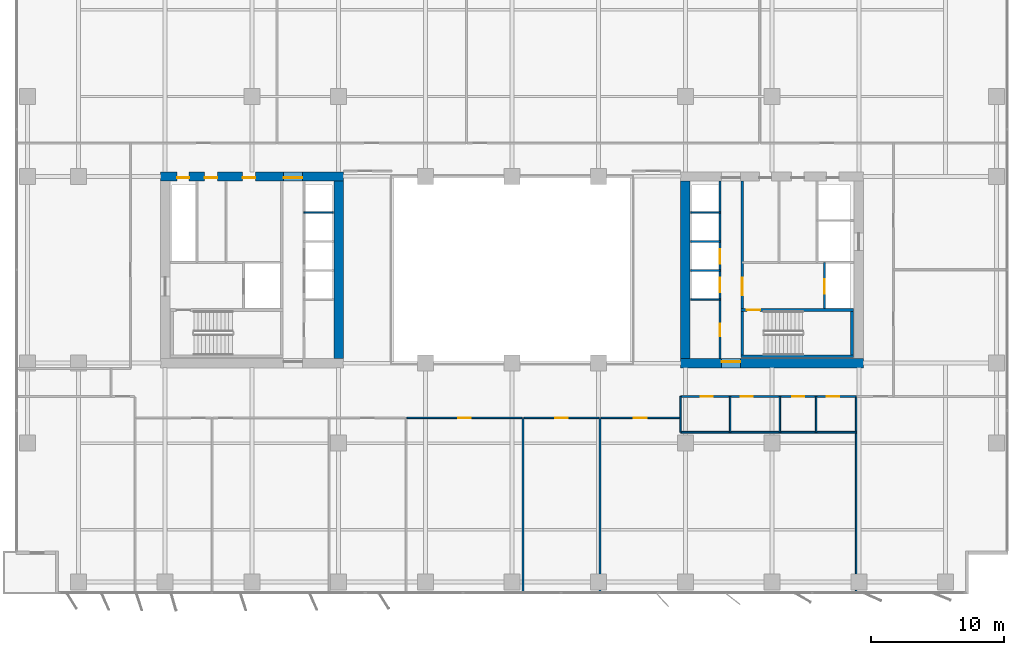
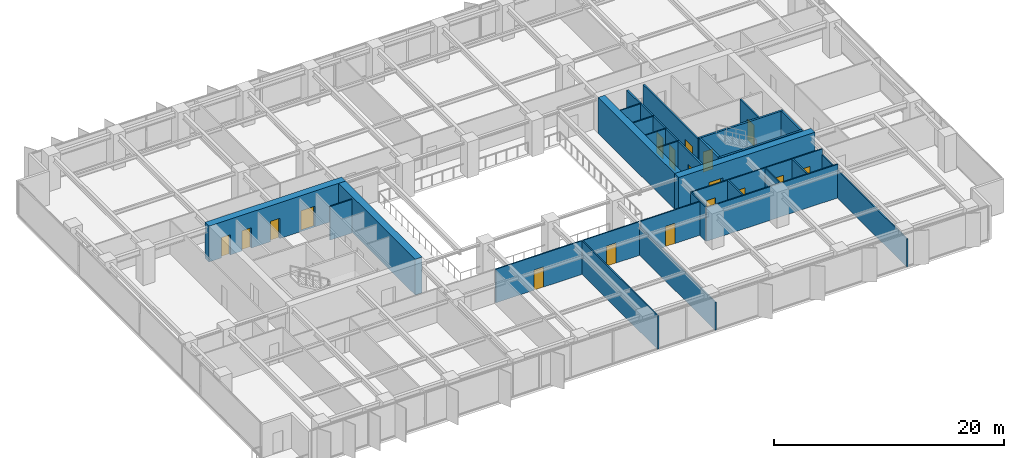
# One storey, part 14 of 20: 28 walls, 18 doors, 18 openings.
"""IFC4 building model written with IfcOpenShell, lengths in metres."""

from ifc_helpers import new_model, si_unit, direction, frame, frame_2d, origin, place, context, subcontext, project, spatial, rectangle, extrude, material, layer, layer_set, type_object, element, fill, save


model = new_model("IFC4")

# Units and contexts
model_context = context("Model", 3, precision=1e-05, world=origin(), true_north=direction((0.0, 1.0)))
body_context = subcontext(model_context, "Body", "Model", "MODEL_VIEW")
ifc_project = project(units=[si_unit("LENGTHUNIT", "METRE"), si_unit("AREAUNIT", "SQUARE_METRE"), si_unit("VOLUMEUNIT", "CUBIC_METRE"), si_unit("PLANEANGLEUNIT", "RADIAN"), si_unit("MASSUNIT", "GRAM", prefix="KILO")], contexts=[model_context])

# Site, building, storey
site_placement = place(None, origin())
site = spatial("IfcSite", under=ifc_project, at=site_placement, CompositionType="ELEMENT")
building_placement = place(site_placement, origin())
building = spatial("IfcBuilding", under=site, at=building_placement, Name="Putna Gate Headquarters", CompositionType="ELEMENT")
storey_placement = place(building_placement, frame((0.0, 0.0, 101.199951171875)))
storey = spatial("IfcBuildingStorey", under=building, at=storey_placement, Name="L24", CompositionType="ELEMENT", Elevation=101.199951171875)

# Wall, openings, doors
ifc_material_1 = material(Name="Concrete C60/75", Category="concrete")
ifc_layer_1 = layer(ifc_material_1, 0.699951171875)
ifc_layer_set_1 = layer_set([ifc_layer_1], Name="Concrete C60/75")
wall_type_1 = type_object("IfcWallType", Name="WALL-CORE-700", PredefinedType="SHEAR", material=ifc_layer_set_1)
wall_1_placement = place(storey_placement, frame((12.64990234375, 33.0, 0.0), z_axis=(0.0, 0.0, 1.0), x_axis=(1.0, 0.0, 0.0)))
wall_1 = element("IfcWall", 1, at=wall_1_placement, inside=storey, type_object=wall_type_1, Name="L24 WC Split Core Shear Wall N", PredefinedType="SHEAR", context=body_context, shape_type="SweptSolid", body=[
    extrude(rectangle(XDim=13.7001953125, YDim=0.699951171875, at=frame_2d((6.85009765625, 0.0))), origin(), (0.0, 0.0, 1.0), 3.800048828125),
])
opening_1_placement = place(wall_1_placement, frame((1.25, 0.0, 0.0)))
opening_1 = element("IfcOpeningElement", 2, at=opening_1_placement, cuts=wall_1, Name="Opening RD-90", PredefinedType="OPENING", context=body_context, shape_type="SweptSolid", body=[
    extrude(rectangle(XDim=0.89990234375, YDim=2.14990234375, at=frame_2d((0.449951171875, 1.074951171875))), frame((0.0, 0.35986328125, 0.0), z_axis=(0.0, -1.0, 0.0), x_axis=(1.0, 0.0, 0.0)), (0.0, 0.0, 1.0), 0.719970703125),
])
opening_2_placement = place(wall_1_placement, frame((3.300048828125, 0.0, 0.0)))
opening_2 = element("IfcOpeningElement", 3, at=opening_2_placement, cuts=wall_1, Name="Opening IDS-95", PredefinedType="OPENING", context=body_context, shape_type="SweptSolid", body=[
    extrude(rectangle(XDim=0.949951171875, YDim=2.14990234375, at=frame_2d((0.47509765625, 1.074951171875))), frame((0.0, 0.35986328125, 0.0), z_axis=(0.0, -1.0, 0.0), x_axis=(1.0, 0.0, 0.0)), (0.0, 0.0, 1.0), 0.719970703125),
])
opening_3_placement = place(wall_1_placement, frame((6.14990234375, 0.0, 0.0)))
opening_3 = element("IfcOpeningElement", 4, at=opening_3_placement, cuts=wall_1, Name="Opening IDS-95", PredefinedType="OPENING", context=body_context, shape_type="SweptSolid", body=[
    extrude(rectangle(XDim=0.949951171875, YDim=2.14990234375, at=frame_2d((0.47509765625, 1.074951171875))), frame((0.0, 0.35986328125, 0.0), z_axis=(0.0, -1.0, 0.0), x_axis=(1.0, 0.0, 0.0)), (0.0, 0.0, 1.0), 0.719970703125),
])
opening_4_placement = place(wall_1_placement, frame((9.22998046875, 0.0, 0.0)))
opening_4 = element("IfcOpeningElement", 5, at=opening_4_placement, cuts=wall_1, Name="Opening FDD-140", PredefinedType="OPENING", context=body_context, shape_type="SweptSolid", body=[
    extrude(rectangle(XDim=1.39990234375, YDim=2.199951171875, at=frame_2d((0.699951171875, 1.10009765625))), frame((0.0, 0.35986328125, 0.0), z_axis=(0.0, -1.0, 0.0), x_axis=(1.0, 0.0, 0.0)), (0.0, 0.0, 1.0), 0.719970703125),
])
ifc_material_2 = material(Name="Double steel fire door", Category="steel")
door_type_1 = type_object("IfcDoorType", Name="DOOR-FIRE-DBL-1400", OperationType="DOUBLE_DOOR_SINGLE_SWING", PredefinedType="DOOR", material=ifc_material_2)
door_1_placement = place(opening_4_placement, origin())
door_1 = element("IfcDoor", 6, at=door_1_placement, inside=storey, type_object=door_type_1, Name="L24 West Lift Lobby North Door", OperationType="DOUBLE_DOOR_SINGLE_SWING", OverallHeight=2.199951171875, OverallWidth=1.39990234375, PredefinedType="DOOR", context=body_context, shape_type="SweptSolid", body=[
    extrude(rectangle(XDim=1.39990234375, YDim=2.199951171875, at=frame_2d((0.699951171875, 1.10009765625))), frame((0.0, -0.0751953125, 0.0), z_axis=(0.0, -1.0, 0.0), x_axis=(1.0, 0.0, 0.0)), (0.0, 0.0, 1.0), 0.050048828125),
])
fill(opening_4, door_1)
ifc_material_3 = material(Name="Fire-rated service timber door", Category="wood")
door_type_2 = type_object("IfcDoorType", Name="DOOR-INT-950", OperationType="NOTDEFINED", PredefinedType="DOOR", material=ifc_material_3)
door_2_placement = place(opening_2_placement, origin())
door_2 = element("IfcDoor", 7, at=door_2_placement, inside=storey, type_object=door_type_2, Name="L24 Archive Store Door", OperationType="SINGLE_SWING_LEFT", OverallHeight=2.14990234375, OverallWidth=0.949951171875, PredefinedType="DOOR", context=body_context, shape_type="SweptSolid", body=[
    extrude(rectangle(XDim=0.949951171875, YDim=2.14990234375, at=frame_2d((0.47509765625, 1.074951171875))), frame((0.0, -0.0751953125, 0.0), z_axis=(0.0, -1.0, 0.0), x_axis=(1.0, 0.0, 0.0)), (0.0, 0.0, 1.0), 0.050048828125),
])
fill(opening_2, door_2)
door_3_placement = place(opening_3_placement, origin())
door_3 = element("IfcDoor", 8, at=door_3_placement, inside=storey, type_object=door_type_2, Name="L24 Switchgear Plant Door", OperationType="SINGLE_SWING_RIGHT", OverallHeight=2.14990234375, OverallWidth=0.949951171875, PredefinedType="DOOR", context=body_context, shape_type="SweptSolid", body=[
    extrude(rectangle(XDim=0.949951171875, YDim=2.14990234375, at=frame_2d((0.47509765625, 1.074951171875))), frame((0.0, -0.0751953125, 0.0), z_axis=(0.0, -1.0, 0.0), x_axis=(1.0, 0.0, 0.0)), (0.0, 0.0, 1.0), 0.050048828125),
])
fill(opening_3, door_3)
ifc_material_4 = material(Name="Steel riser access fire door", Category="steel")
door_type_3 = type_object("IfcDoorType", Name="DOOR-RISER-900", OperationType="NOTDEFINED", PredefinedType="DOOR", material=ifc_material_4)
door_4_placement = place(opening_1_placement, origin())
door_4 = element("IfcDoor", 9, at=door_4_placement, inside=storey, type_object=door_type_3, Name="L24 West Riser Access Door", OperationType="SINGLE_SWING_RIGHT", OverallHeight=2.14990234375, OverallWidth=0.89990234375, PredefinedType="DOOR", context=body_context, shape_type="SweptSolid", body=[
    extrude(rectangle(XDim=0.89990234375, YDim=2.14990234375, at=frame_2d((0.449951171875, 1.074951171875))), frame((0.0, -0.0751953125, 0.0), z_axis=(0.0, -1.0, 0.0), x_axis=(1.0, 0.0, 0.0)), (0.0, 0.0, 1.0), 0.050048828125),
])
fill(opening_1, door_4)

# Wall
wall_2_placement = place(storey_placement, frame((26.0, 19.35009765625, 0.0), z_axis=(0.0, 0.0, 1.0), x_axis=(0.0, 1.0, 0.0)))
element("IfcWall", 10, at=wall_2_placement, inside=storey, type_object=wall_type_1, Name="L24 WC Split Core Shear Wall E", PredefinedType="SHEAR", context=body_context, shape_type="SweptSolid", body=[
    extrude(rectangle(XDim=13.2998046875, YDim=0.699951171875, at=frame_2d((6.64990234375, 0.0))), origin(), (0.0, 0.0, 1.0), 3.800048828125),
])

# Wall, opening, door
wall_3_placement = place(storey_placement, frame((51.64990234375, 19.0, 0.0), z_axis=(0.0, 0.0, 1.0), x_axis=(1.0, 0.0, 0.0)))
wall_3 = element("IfcWall", 11, at=wall_3_placement, inside=storey, type_object=wall_type_1, Name="L24 EC Split Core Shear Wall S", PredefinedType="SHEAR", context=body_context, shape_type="SweptSolid", body=[
    extrude(rectangle(XDim=13.7001953125, YDim=0.699951171875, at=frame_2d((6.85009765625, 0.0))), origin(), (0.0, 0.0, 1.0), 3.800048828125),
])
opening_5_placement = place(wall_3_placement, frame((3.070068359375, 0.0, 0.0)))
opening_5 = element("IfcOpeningElement", 12, at=opening_5_placement, cuts=wall_3, Name="Opening FDD-140", PredefinedType="OPENING", context=body_context, shape_type="SweptSolid", body=[
    extrude(rectangle(XDim=1.39990234375, YDim=2.199951171875, at=frame_2d((0.699951171875, 1.10009765625))), frame((0.0, 0.35986328125, 0.0), z_axis=(0.0, -1.0, 0.0), x_axis=(1.0, 0.0, 0.0)), (0.0, 0.0, 1.0), 0.719970703125),
])
door_5_placement = place(opening_5_placement, origin())
door_5 = element("IfcDoor", 13, at=door_5_placement, inside=storey, type_object=door_type_1, Name="L24 East Lift Lobby South Door", OperationType="DOUBLE_DOOR_SINGLE_SWING", OverallHeight=2.199951171875, OverallWidth=1.39990234375, PredefinedType="DOOR", context=body_context, shape_type="SweptSolid", body=[
    extrude(rectangle(XDim=1.39990234375, YDim=2.199951171875, at=frame_2d((0.699951171875, 1.10009765625))), frame((0.0, 0.125, 0.0), z_axis=(0.0, -1.0, 0.0), x_axis=(1.0, 0.0, 0.0)), (0.0, 0.0, 1.0), 0.050048828125),
])
fill(opening_5, door_5)

# Walls
wall_4_placement = place(storey_placement, frame((52.0, 19.35009765625, 0.0), z_axis=(0.0, 0.0, 1.0), x_axis=(0.0, 1.0, 0.0)))
element("IfcWall", 14, at=wall_4_placement, inside=storey, type_object=wall_type_1, Name="L24 EC Split Core Shear Wall W", PredefinedType="SHEAR", context=body_context, shape_type="SweptSolid", body=[
    extrude(rectangle(XDim=13.2998046875, YDim=0.699951171875, at=frame_2d((6.64990234375, 0.0))), origin(), (0.0, 0.0, 1.0), 3.800048828125),
])
ifc_material_5 = material(Name="Acoustic gypsum board on metal stud")
ifc_layer_2 = layer(ifc_material_5, 0.1201171875)
ifc_layer_set_2 = layer_set([ifc_layer_2], Name="Acoustic gypsum board on metal stud")
wall_type_2 = type_object("IfcWallType", Name="WALL-PART-120", PredefinedType="PARTITIONING", material=ifc_layer_set_2)
wall_5_placement = place(storey_placement, frame((39.826904296875, 1.719970703125, 0.0), z_axis=(0.0, 0.0, 1.0), x_axis=(0.0, 1.0, 0.0)))
element("IfcWall", 15, at=wall_5_placement, inside=storey, type_object=wall_type_2, Name="L24 Interior Wall PART-L24-SB-DIV-05", PredefinedType="PARTITIONING", context=body_context, shape_type="SweptSolid", body=[
    extrude(rectangle(XDim=13.1201171875, YDim=0.1201171875, at=frame_2d((6.56005859375, 0.0))), origin(), (0.0, 0.0, 1.0), 3.56494140625),
])
wall_6_placement = place(storey_placement, frame((45.60009765625, 1.719970703125, 0.0), z_axis=(0.0, 0.0, 1.0), x_axis=(0.0, 1.0, 0.0)))
element("IfcWall", 16, at=wall_6_placement, inside=storey, type_object=wall_type_2, Name="L24 Interior Wall PART-L24-SB-DIV-06", PredefinedType="PARTITIONING", context=body_context, shape_type="SweptSolid", body=[
    extrude(rectangle(XDim=13.1201171875, YDim=0.1201171875, at=frame_2d((6.56005859375, 0.0))), origin(), (0.0, 0.0, 1.0), 2.965087890625),
])
wall_7_placement = place(storey_placement, frame((64.800048828125, 1.719970703125, 0.0), z_axis=(0.0, 0.0, 1.0), x_axis=(0.0, 1.0, 0.0)))
element("IfcWall", 17, at=wall_7_placement, inside=storey, type_object=wall_type_2, Name="L24 Interior Wall PART-L24-SB-DIV-07", PredefinedType="PARTITIONING", context=body_context, shape_type="SweptSolid", body=[
    extrude(rectangle(XDim=14.719970703125, YDim=0.1201171875, at=frame_2d((7.35986328125, 0.0))), origin(), (0.0, 0.0, 1.0), 2.965087890625),
])
ifc_material_6 = material(Name="Fire-rated shaftwall gypsum board on metal stud")
ifc_layer_3 = layer(ifc_material_6, 0.1201171875)
ifc_layer_set_3 = layer_set([ifc_layer_3], Name="Fire-rated shaftwall gypsum board on metal stud")
wall_type_3 = type_object("IfcWallType", Name="WALL-PART-120-EI120", PredefinedType="PARTITIONING", material=ifc_layer_set_3)
for number, where, z_axis, x_axis, name in (
    (18, (23.39990234375, 30.31005859375, 0.0), (0.0, 0.0, 1.0), (1.0, 0.0, 0.0), "L24 Interior Wall CWINT-L24-WC-LF09-DIV"),
    (19, (52.39990234375, 25.949951171875, 0.0), (0.0, 0.0, 1.0), (1.0, 0.0, 0.0), "L24 Interior Wall CWINT-L24-EC-LF07-DIV"),
    (20, (52.39990234375, 28.1201171875, 0.0), (0.0, 0.0, 1.0), (1.0, 0.0, 0.0), "L24 Interior Wall CWINT-L24-EC-LF08-DIV"),
    (21, (52.39990234375, 30.31005859375, 0.0), (0.0, 0.0, 1.0), (1.0, 0.0, 0.0), "L24 Interior Wall CWINT-L24-EC-LF11-DIV"),
):
    element("IfcWall", number, at=place(storey_placement, frame(where, z_axis=z_axis, x_axis=x_axis)), inside=storey, type_object=wall_type_3, Name=name, PredefinedType="PARTITIONING", context=body_context, shape_type="SweptSolid", body=[
        extrude(rectangle(XDim=2.2001953125, YDim=0.1201171875, at=frame_2d((1.10009765625, 0.0))), origin(), (0.0, 0.0, 1.0), 3.56494140625),
    ])
ifc_material_7 = material(Name="Fire-rated gypsum board on metal stud")
ifc_layer_4 = layer(ifc_material_7, 0.1201171875)
ifc_layer_set_4 = layer_set([ifc_layer_4], Name="Fire-rated gypsum board on metal stud")
wall_type_4 = type_object("IfcWallType", Name="WALL-PART-120-RATED", PredefinedType="PARTITIONING", material=ifc_layer_set_4)
wall_8_placement = place(storey_placement, frame((52.39990234375, 23.780029296875, 0.0), z_axis=(0.0, 0.0, 1.0), x_axis=(1.0, 0.0, 0.0)))
element("IfcWall", 22, at=wall_8_placement, inside=storey, type_object=wall_type_4, Name="L24 Interior Wall CWINT-L24-EC-LF04-DIV", PredefinedType="PARTITIONING", context=body_context, shape_type="SweptSolid", body=[
    extrude(rectangle(XDim=2.2001953125, YDim=0.1201171875, at=frame_2d((1.10009765625, 0.0))), origin(), (0.0, 0.0, 1.0), 3.56494140625),
])

# Wall, openings, doors
wall_9_placement = place(storey_placement, frame((51.639892578125, 16.5, 0.0), z_axis=(0.0, 0.0, 1.0), x_axis=(1.0, 0.0, 0.0)))
wall_9 = element("IfcWall", 23, at=wall_9_placement, inside=storey, type_object=wall_type_4, Name="L24 Interior Wall PART-L24-SAN-CW", PredefinedType="PARTITIONING", context=body_context, shape_type="SweptSolid", body=[
    extrude(rectangle(XDim=13.16015625, YDim=0.1201171875, at=frame_2d((6.580078125, 0.0))), origin(), (0.0, 0.0, 1.0), 3.56494140625),
])
opening_6_placement = place(wall_9_placement, frame((1.510009765625, 0.0, 0.0)))
opening_6 = element("IfcOpeningElement", 24, at=opening_6_placement, cuts=wall_9, Name="Opening FD-90", PredefinedType="OPENING", context=body_context, shape_type="SweptSolid", body=[
    extrude(rectangle(XDim=0.89990234375, YDim=2.14990234375, at=frame_2d((0.449951171875, 1.074951171875))), frame((0.0, 0.070068359375, 0.0), z_axis=(0.0, -1.0, 0.0), x_axis=(1.0, 0.0, 0.0)), (0.0, 0.0, 1.0), 0.14013671875),
])
opening_7_placement = place(wall_9_placement, frame((4.510009765625, 0.0, 0.0)))
opening_7 = element("IfcOpeningElement", 25, at=opening_7_placement, cuts=wall_9, Name="Opening FD-90", PredefinedType="OPENING", context=body_context, shape_type="SweptSolid", body=[
    extrude(rectangle(XDim=0.89990234375, YDim=2.14990234375, at=frame_2d((0.449951171875, 1.074951171875))), frame((0.0, 0.070068359375, 0.0), z_axis=(0.0, -1.0, 0.0), x_axis=(1.0, 0.0, 0.0)), (0.0, 0.0, 1.0), 0.14013671875),
])
opening_8_placement = place(wall_9_placement, frame((8.360107421875, 0.0, 0.0)))
opening_8 = element("IfcOpeningElement", 26, at=opening_8_placement, cuts=wall_9, Name="Opening FD-90", PredefinedType="OPENING", context=body_context, shape_type="SweptSolid", body=[
    extrude(rectangle(XDim=0.89990234375, YDim=2.14990234375, at=frame_2d((0.449951171875, 1.074951171875))), frame((0.0, 0.070068359375, 0.0), z_axis=(0.0, -1.0, 0.0), x_axis=(1.0, 0.0, 0.0)), (0.0, 0.0, 1.0), 0.14013671875),
])
opening_9_placement = place(wall_9_placement, frame((10.9599609375, 0.0, 0.0)))
opening_9 = element("IfcOpeningElement", 27, at=opening_9_placement, cuts=wall_9, Name="Opening FD-95", PredefinedType="OPENING", context=body_context, shape_type="SweptSolid", body=[
    extrude(rectangle(XDim=0.949951171875, YDim=2.14990234375, at=frame_2d((0.47509765625, 1.074951171875))), frame((0.0, 0.070068359375, 0.0), z_axis=(0.0, -1.0, 0.0), x_axis=(1.0, 0.0, 0.0)), (0.0, 0.0, 1.0), 0.14013671875),
])
ifc_material_8 = material(Name="Acoustic washroom fire door")
door_type_4 = type_object("IfcDoorType", Name="DOOR-FIRE-900", OperationType="NOTDEFINED", PredefinedType="DOOR", material=ifc_material_8)
door_6_placement = place(opening_6_placement, origin())
door_6 = element("IfcDoor", 28, at=door_6_placement, inside=storey, type_object=door_type_4, Name="L24 Washroom Male Door", OperationType="SINGLE_SWING_LEFT", OverallHeight=2.14990234375, OverallWidth=0.89990234375, PredefinedType="DOOR", context=body_context, shape_type="SweptSolid", body=[
    extrude(rectangle(XDim=0.89990234375, YDim=2.14990234375, at=frame_2d((0.449951171875, 1.074951171875))), frame((0.0, 0.02490234375, 0.0), z_axis=(0.0, -1.0, 0.0), x_axis=(1.0, 0.0, 0.0)), (0.0, 0.0, 1.0), 0.050048828125),
])
fill(opening_6, door_6)
door_7_placement = place(opening_7_placement, origin())
door_7 = element("IfcDoor", 29, at=door_7_placement, inside=storey, type_object=door_type_4, Name="L24 Washroom Female Door", OperationType="SINGLE_SWING_RIGHT", OverallHeight=2.14990234375, OverallWidth=0.89990234375, PredefinedType="DOOR", context=body_context, shape_type="SweptSolid", body=[
    extrude(rectangle(XDim=0.89990234375, YDim=2.14990234375, at=frame_2d((0.449951171875, 1.074951171875))), frame((0.0, 0.02490234375, 0.0), z_axis=(0.0, -1.0, 0.0), x_axis=(1.0, 0.0, 0.0)), (0.0, 0.0, 1.0), 0.050048828125),
])
fill(opening_7, door_7)
door_8_placement = place(opening_8_placement, origin())
door_8 = element("IfcDoor", 30, at=door_8_placement, inside=storey, type_object=door_type_4, Name="L24 Accessible WC Door", OperationType="SINGLE_SWING_LEFT", OverallHeight=2.14990234375, OverallWidth=0.89990234375, PredefinedType="DOOR", context=body_context, shape_type="SweptSolid", body=[
    extrude(rectangle(XDim=0.89990234375, YDim=2.14990234375, at=frame_2d((0.449951171875, 1.074951171875))), frame((0.0, 0.02490234375, 0.0), z_axis=(0.0, -1.0, 0.0), x_axis=(1.0, 0.0, 0.0)), (0.0, 0.0, 1.0), 0.050048828125),
])
fill(opening_8, door_8)
ifc_material_9 = material(Name="Acoustic timber fire door", Category="wood")
door_type_5 = type_object("IfcDoorType", Name="DOOR-FIRE-950", OperationType="NOTDEFINED", PredefinedType="DOOR", material=ifc_material_9)
door_9_placement = place(opening_9_placement, origin())
door_9 = element("IfcDoor", 31, at=door_9_placement, inside=storey, type_object=door_type_5, Name="L24 Staff Pantry and Tea Point Door", OperationType="SINGLE_SWING_RIGHT", OverallHeight=2.14990234375, OverallWidth=0.949951171875, PredefinedType="DOOR", context=body_context, shape_type="SweptSolid", body=[
    extrude(rectangle(XDim=0.949951171875, YDim=2.14990234375, at=frame_2d((0.47509765625, 1.074951171875))), frame((0.0, 0.02490234375, 0.0), z_axis=(0.0, -1.0, 0.0), x_axis=(1.0, 0.0, 0.0)), (0.0, 0.0, 1.0), 0.050048828125),
])
fill(opening_9, door_9)

# Walls
wall_10_placement = place(storey_placement, frame((51.639892578125, 13.820068359375, 0.0), z_axis=(0.0, 0.0, 1.0), x_axis=(1.0, 0.0, 0.0)))
element("IfcWall", 32, at=wall_10_placement, inside=storey, type_object=wall_type_4, Name="L24 Interior Wall PART-L24-SAN-BACK", PredefinedType="PARTITIONING", context=body_context, shape_type="SweptSolid", body=[
    extrude(rectangle(XDim=13.16015625, YDim=0.1201171875, at=frame_2d((6.580078125, 0.0))), origin(), (0.0, 0.0, 1.0), 3.56494140625),
])
for number, where, z_axis, x_axis, name in (
    (33, (51.639892578125, 13.820068359375, 0.0), (0.0, 0.0, 1.0), (0.0, 1.0, 0.0), "L24 Interior Wall PART-L24-SAN-DIV-1"),
    (34, (55.360107421875, 13.820068359375, 0.0), (0.0, 0.0, 1.0), (0.0, 1.0, 0.0), "L24 Interior Wall PART-L24-SAN-DIV-2"),
    (35, (59.080078125, 13.820068359375, 0.0), (0.0, 0.0, 1.0), (0.0, 1.0, 0.0), "L24 Interior Wall PART-L24-SAN-DIV-3"),
    (36, (61.800048828125, 13.820068359375, 0.0), (0.0, 0.0, 1.0), (0.0, 1.0, 0.0), "L24 Interior Wall PART-L24-SAN-DIV-4"),
):
    element("IfcWall", number, at=place(storey_placement, frame(where, z_axis=z_axis, x_axis=x_axis)), inside=storey, type_object=wall_type_4, Name=name, PredefinedType="PARTITIONING", context=body_context, shape_type="SweptSolid", body=[
        extrude(rectangle(XDim=2.679931640625, YDim=0.1201171875, at=frame_2d((1.33984375, 0.0))), origin(), (0.0, 0.0, 1.0), 3.56494140625),
    ])

# Wall, opening, door
wall_11_placement = place(storey_placement, frame((31.1201171875, 14.89990234375, 0.0), z_axis=(0.0, 0.0, 1.0), x_axis=(1.0, 0.0, 0.0)))
wall_11 = element("IfcWall", 37, at=wall_11_placement, inside=storey, type_object=wall_type_4, Name="L24 Interior Wall PART-L24-SB-CW-05", PredefinedType="PARTITIONING", context=body_context, shape_type="SweptSolid", body=[
    extrude(rectangle(XDim=8.646728515625, YDim=0.1201171875, at=frame_2d((4.3232421875, 0.0))), origin(), (0.0, 0.0, 1.0), 3.56494140625),
])
opening_10_placement = place(wall_11_placement, frame((3.848388671875, 0.0, 0.0)))
opening_10 = element("IfcOpeningElement", 38, at=opening_10_placement, cuts=wall_11, Name="Opening FD-95", PredefinedType="OPENING", context=body_context, shape_type="SweptSolid", body=[
    extrude(rectangle(XDim=0.949951171875, YDim=2.14990234375, at=frame_2d((0.47509765625, 1.074951171875))), frame((0.0, 0.070068359375, 0.0), z_axis=(0.0, -1.0, 0.0), x_axis=(1.0, 0.0, 0.0)), (0.0, 0.0, 1.0), 0.14013671875),
])
door_10_placement = place(opening_10_placement, origin())
door_10 = element("IfcDoor", 39, at=door_10_placement, inside=storey, type_object=door_type_5, Name="L24 Collaborative Breakout Lounge 1 Door", OperationType="SINGLE_SWING_LEFT", OverallHeight=2.14990234375, OverallWidth=0.949951171875, PredefinedType="DOOR", context=body_context, shape_type="SweptSolid", body=[
    extrude(rectangle(XDim=0.949951171875, YDim=2.14990234375, at=frame_2d((0.47509765625, 1.074951171875))), frame((0.0, 0.02490234375, 0.0), z_axis=(0.0, -1.0, 0.0), x_axis=(1.0, 0.0, 0.0)), (0.0, 0.0, 1.0), 0.050048828125),
])
fill(opening_10, door_10)

wall_12_placement = place(storey_placement, frame((39.88671875, 14.89990234375, 0.0), z_axis=(0.0, 0.0, 1.0), x_axis=(1.0, 0.0, 0.0)))
wall_12 = element("IfcWall", 40, at=wall_12_placement, inside=storey, type_object=wall_type_4, Name="L24 Interior Wall PART-L24-SB-CW-06", PredefinedType="PARTITIONING", context=body_context, shape_type="SweptSolid", body=[
    extrude(rectangle(XDim=5.6533203125, YDim=0.1201171875, at=frame_2d((2.82666015625, 0.0))), origin(), (0.0, 0.0, 1.0), 3.56494140625),
])
opening_11_placement = place(wall_12_placement, frame((2.3515625, 0.0, 0.0)))
opening_11 = element("IfcOpeningElement", 41, at=opening_11_placement, cuts=wall_12, Name="Opening FD-95", PredefinedType="OPENING", context=body_context, shape_type="SweptSolid", body=[
    extrude(rectangle(XDim=0.949951171875, YDim=2.14990234375, at=frame_2d((0.47509765625, 1.074951171875))), frame((0.0, 0.070068359375, 0.0), z_axis=(0.0, -1.0, 0.0), x_axis=(1.0, 0.0, 0.0)), (0.0, 0.0, 1.0), 0.14013671875),
])
door_11_placement = place(opening_11_placement, origin())
door_11 = element("IfcDoor", 42, at=door_11_placement, inside=storey, type_object=door_type_5, Name="L24 Collaborative Breakout Lounge 2 Door", OperationType="SINGLE_SWING_RIGHT", OverallHeight=2.14990234375, OverallWidth=0.949951171875, PredefinedType="DOOR", context=body_context, shape_type="SweptSolid", body=[
    extrude(rectangle(XDim=0.949951171875, YDim=2.14990234375, at=frame_2d((0.47509765625, 1.074951171875))), frame((0.0, 0.02490234375, 0.0), z_axis=(0.0, -1.0, 0.0), x_axis=(1.0, 0.0, 0.0)), (0.0, 0.0, 1.0), 0.050048828125),
])
fill(opening_11, door_11)

wall_13_placement = place(storey_placement, frame((45.659912109375, 14.89990234375, 0.0), z_axis=(0.0, 0.0, 1.0), x_axis=(1.0, 0.0, 0.0)))
wall_13 = element("IfcWall", 43, at=wall_13_placement, inside=storey, type_object=wall_type_4, Name="L24 Interior Wall PART-L24-SB-CW-07", PredefinedType="PARTITIONING", context=body_context, shape_type="SweptSolid", body=[
    extrude(rectangle(XDim=5.920166015625, YDim=0.1201171875, at=frame_2d((2.9599609375, 0.0))), origin(), (0.0, 0.0, 1.0), 3.56494140625),
])
opening_12_placement = place(wall_13_placement, frame((2.485107421875, 0.0, 0.0)))
opening_12 = element("IfcOpeningElement", 44, at=opening_12_placement, cuts=wall_13, Name="Opening FD-95", PredefinedType="OPENING", context=body_context, shape_type="SweptSolid", body=[
    extrude(rectangle(XDim=0.949951171875, YDim=2.14990234375, at=frame_2d((0.47509765625, 1.074951171875))), frame((0.0, 0.070068359375, 0.0), z_axis=(0.0, -1.0, 0.0), x_axis=(1.0, 0.0, 0.0)), (0.0, 0.0, 1.0), 0.14013671875),
])
door_12_placement = place(opening_12_placement, origin())
door_12 = element("IfcDoor", 45, at=door_12_placement, inside=storey, type_object=door_type_5, Name="L24 Primary Open Office Workplace Door", OperationType="SINGLE_SWING_LEFT", OverallHeight=2.14990234375, OverallWidth=0.949951171875, PredefinedType="DOOR", context=body_context, shape_type="SweptSolid", body=[
    extrude(rectangle(XDim=0.949951171875, YDim=2.14990234375, at=frame_2d((0.47509765625, 1.074951171875))), frame((0.0, 0.02490234375, 0.0), z_axis=(0.0, -1.0, 0.0), x_axis=(1.0, 0.0, 0.0)), (0.0, 0.0, 1.0), 0.050048828125),
])
fill(opening_12, door_12)

# Wall, openings, doors
ifc_material_10 = material(Name="Concrete C40/50", Category="concrete")
ifc_layer_5 = layer(ifc_material_10, 0.159912109375)
ifc_layer_set_5 = layer_set([ifc_layer_5], Name="Concrete C40/50")
wall_type_5 = type_object("IfcWallType", Name="WALL-SHAFT-160", PredefinedType="STANDARD", material=ifc_layer_set_5)
wall_14_placement = place(storey_placement, frame((54.60009765625, 19.35009765625, 0.0), z_axis=(0.0, 0.0, 1.0), x_axis=(0.0, 1.0, 0.0)))
wall_14 = element("IfcWall", 46, at=wall_14_placement, inside=storey, type_object=wall_type_5, Name="L24 Interior Wall CWINT-L24-EC-PL-WALL", PredefinedType="STANDARD", context=body_context, shape_type="SweptSolid", body=[
    extrude(rectangle(XDim=13.2998046875, YDim=0.159912109375, at=frame_2d((6.64990234375, 0.0))), origin(), (0.0, 0.0, 1.0), 3.56494140625),
])
opening_13_placement = place(wall_14_placement, frame((1.64990234375, 0.0, 0.0)))
opening_13 = element("IfcOpeningElement", 47, at=opening_13_placement, cuts=wall_14, Name="Opening IDS-95", PredefinedType="OPENING", context=body_context, shape_type="SweptSolid", body=[
    extrude(rectangle(XDim=0.949951171875, YDim=2.14990234375, at=frame_2d((0.47509765625, 1.074951171875))), frame((0.0, 0.08984375, 0.0), z_axis=(0.0, -1.0, 0.0), x_axis=(1.0, 0.0, 0.0)), (0.0, 0.0, 1.0), 0.179931640625),
])
opening_14_placement = place(wall_14_placement, frame((4.949951171875, 0.0, 0.0)))
opening_14 = element("IfcOpeningElement", 48, at=opening_14_placement, cuts=wall_14, Name="Opening LD-1", PredefinedType="OPENING", context=body_context, shape_type="SweptSolid", body=[
    extrude(rectangle(XDim=1.10009765625, YDim=2.199951171875, at=frame_2d((0.550048828125, 1.10009765625))), frame((0.0, 0.08984375, 0.0), z_axis=(0.0, -1.0, 0.0), x_axis=(1.0, 0.0, 0.0)), (0.0, 0.0, 1.0), 0.179931640625),
])
opening_15_placement = place(wall_14_placement, frame((7.10009765625, 0.0, 0.0)))
opening_15 = element("IfcOpeningElement", 49, at=opening_15_placement, cuts=wall_14, Name="Opening LD-1", PredefinedType="OPENING", context=body_context, shape_type="SweptSolid", body=[
    extrude(rectangle(XDim=1.10009765625, YDim=2.199951171875, at=frame_2d((0.550048828125, 1.10009765625))), frame((0.0, 0.08984375, 0.0), z_axis=(0.0, -1.0, 0.0), x_axis=(1.0, 0.0, 0.0)), (0.0, 0.0, 1.0), 0.179931640625),
])
door_13_placement = place(opening_13_placement, origin())
door_13 = element("IfcDoor", 50, at=door_13_placement, inside=storey, type_object=door_type_2, Name="L24 Stationery Store Door", OperationType="SINGLE_SWING_RIGHT", OverallHeight=2.14990234375, OverallWidth=0.949951171875, PredefinedType="DOOR", context=body_context, shape_type="SweptSolid", body=[
    extrude(rectangle(XDim=0.949951171875, YDim=2.14990234375, at=frame_2d((0.47509765625, 1.074951171875))), frame((0.0, 0.02490234375, 0.0), z_axis=(0.0, -1.0, 0.0), x_axis=(1.0, 0.0, 0.0)), (0.0, 0.0, 1.0), 0.050048828125),
])
fill(opening_13, door_13)
ifc_material_11 = material(Name="Brushed bronze stainless lift landing door")
door_type_6 = type_object("IfcDoorType", Name="DOOR-LIFT-1100", OperationType="DOUBLE_DOOR_SLIDING", PredefinedType="DOOR", material=ifc_material_11)
door_14_placement = place(opening_14_placement, origin())
door_14 = element("IfcDoor", 51, at=door_14_placement, inside=storey, type_object=door_type_6, Name="L24 Lift Landing Door LD-07", OperationType="DOUBLE_DOOR_SLIDING", OverallHeight=2.199951171875, OverallWidth=1.10009765625, PredefinedType="DOOR", context=body_context, shape_type="SweptSolid", body=[
    extrude(rectangle(XDim=1.10009765625, YDim=2.199951171875, at=frame_2d((0.550048828125, 1.10009765625))), frame((0.0, 0.02490234375, 0.0), z_axis=(0.0, -1.0, 0.0), x_axis=(1.0, 0.0, 0.0)), (0.0, 0.0, 1.0), 0.050048828125),
])
fill(opening_14, door_14)
door_15_placement = place(opening_15_placement, origin())
door_15 = element("IfcDoor", 52, at=door_15_placement, inside=storey, type_object=door_type_6, Name="L24 Lift Landing Door LD-08", OperationType="DOUBLE_DOOR_SLIDING", OverallHeight=2.199951171875, OverallWidth=1.10009765625, PredefinedType="DOOR", context=body_context, shape_type="SweptSolid", body=[
    extrude(rectangle(XDim=1.10009765625, YDim=2.199951171875, at=frame_2d((0.550048828125, 1.10009765625))), frame((0.0, 0.02490234375, 0.0), z_axis=(0.0, -1.0, 0.0), x_axis=(1.0, 0.0, 0.0)), (0.0, 0.0, 1.0), 0.050048828125),
])
fill(opening_15, door_15)

# Wall, opening, door
wall_15_placement = place(storey_placement, frame((56.260009765625, 23.090087890625, 0.0), z_axis=(0.0, 0.0, 1.0), x_axis=(0.0, 1.0, 0.0)))
wall_15 = element("IfcWall", 53, at=wall_15_placement, inside=storey, type_object=wall_type_5, Name="L24 Interior Wall CWINT-L24-EC-LOB-E", PredefinedType="STANDARD", context=body_context, shape_type="SweptSolid", body=[
    extrude(rectangle(XDim=9.559814453125, YDim=0.159912109375, at=frame_2d((4.77978515625, 0.0))), origin(), (0.0, 0.0, 1.0), 3.56494140625),
])
opening_16_placement = place(wall_15_placement, frame((1.010009765625, 0.0, 0.0)))
opening_16 = element("IfcOpeningElement", 54, at=opening_16_placement, cuts=wall_15, Name="Opening FDD-130", PredefinedType="OPENING", context=body_context, shape_type="SweptSolid", body=[
    extrude(rectangle(XDim=1.300048828125, YDim=2.199951171875, at=frame_2d((0.64990234375, 1.10009765625))), frame((0.0, 0.08984375, 0.0), z_axis=(0.0, -1.0, 0.0), x_axis=(1.0, 0.0, 0.0)), (0.0, 0.0, 1.0), 0.179931640625),
])
ifc_material_12 = material(Name="Double steel lobby fire door", Category="steel")
door_type_7 = type_object("IfcDoorType", Name="DOOR-FIRE-DBL-1300", OperationType="DOUBLE_DOOR_SINGLE_SWING", PredefinedType="DOOR", material=ifc_material_12)
door_16_placement = place(opening_16_placement, origin())
door_16 = element("IfcDoor", 55, at=door_16_placement, inside=storey, type_object=door_type_7, Name="L24 East Firefighting Lobby Door", OperationType="DOUBLE_DOOR_SINGLE_SWING", OverallHeight=2.199951171875, OverallWidth=1.300048828125, PredefinedType="DOOR", context=body_context, shape_type="SweptSolid", body=[
    extrude(rectangle(XDim=1.300048828125, YDim=2.199951171875, at=frame_2d((0.64990234375, 1.10009765625))), frame((0.0, 0.02490234375, 0.0), z_axis=(0.0, -1.0, 0.0), x_axis=(1.0, 0.0, 0.0)), (0.0, 0.0, 1.0), 0.050048828125),
])
fill(opening_16, door_16)

wall_16_placement = place(storey_placement, frame((62.429931640625, 23.090087890625, 0.0), z_axis=(0.0, 0.0, 1.0), x_axis=(0.0, 1.0, 0.0)))
wall_16 = element("IfcWall", 56, at=wall_16_placement, inside=storey, type_object=wall_type_5, Name="L24 Interior Wall CWINT-L24-EC-LF14-W", PredefinedType="STANDARD", context=body_context, shape_type="SweptSolid", body=[
    extrude(rectangle(XDim=3.469970703125, YDim=0.159912109375, at=frame_2d((1.73486328125, 0.0))), origin(), (0.0, 0.0, 1.0), 3.56494140625),
])
opening_17_placement = place(wall_16_placement, frame((1.10009765625, 0.0, 0.0)))
opening_17 = element("IfcOpeningElement", 57, at=opening_17_placement, cuts=wall_16, Name="Opening LD-1", PredefinedType="OPENING", context=body_context, shape_type="SweptSolid", body=[
    extrude(rectangle(XDim=1.10009765625, YDim=2.199951171875, at=frame_2d((0.550048828125, 1.10009765625))), frame((0.0, 0.08984375, 0.0), z_axis=(0.0, -1.0, 0.0), x_axis=(1.0, 0.0, 0.0)), (0.0, 0.0, 1.0), 0.179931640625),
])
door_17_placement = place(opening_17_placement, origin())
door_17 = element("IfcDoor", 58, at=door_17_placement, inside=storey, type_object=door_type_6, Name="L24 Lift Landing Door LD-14", OperationType="DOUBLE_DOOR_SLIDING", OverallHeight=2.199951171875, OverallWidth=1.10009765625, PredefinedType="DOOR", context=body_context, shape_type="SweptSolid", body=[
    extrude(rectangle(XDim=1.10009765625, YDim=2.199951171875, at=frame_2d((0.550048828125, 1.10009765625))), frame((0.0, 0.02490234375, 0.0), z_axis=(0.0, -1.0, 0.0), x_axis=(1.0, 0.0, 0.0)), (0.0, 0.0, 1.0), 0.050048828125),
])
fill(opening_17, door_17)

# Wall
ifc_layer_6 = layer(ifc_material_10, 0.199951171875)
ifc_layer_set_6 = layer_set([ifc_layer_6], Name="Concrete C40/50")
wall_type_6 = type_object("IfcWallType", Name="WALL-SHAFT-RC200", PredefinedType="SHEAR", material=ifc_layer_set_6)
wall_17_placement = place(storey_placement, frame((56.159912109375, 19.510009765625, 0.0), z_axis=(0.0, 0.0, 1.0), x_axis=(1.0, 0.0, 0.0)))
element("IfcWall", 59, at=wall_17_placement, inside=storey, type_object=wall_type_6, Name="L24 Stair ST2 Structural Shaft Wall S", PredefinedType="SHEAR", context=body_context, shape_type="SweptSolid", body=[
    extrude(rectangle(XDim=8.43017578125, YDim=0.199951171875, at=frame_2d((4.215087890625, 0.0))), origin(), (0.0, 0.0, 1.0), 3.800048828125),
])

# Wall, opening, door
wall_18_placement = place(storey_placement, frame((56.159912109375, 22.989990234375, 0.0), z_axis=(0.0, 0.0, 1.0), x_axis=(1.0, 0.0, 0.0)))
wall_18 = element("IfcWall", 60, at=wall_18_placement, inside=storey, type_object=wall_type_6, Name="L24 Stair ST2 Structural Shaft Wall N", PredefinedType="SHEAR", context=body_context, shape_type="SweptSolid", body=[
    extrude(rectangle(XDim=8.43017578125, YDim=0.199951171875, at=frame_2d((4.215087890625, 0.0))), origin(), (0.0, 0.0, 1.0), 3.800048828125),
])
opening_18_placement = place(wall_18_placement, frame((0.449951171875, 0.0, 0.0)))
opening_18 = element("IfcOpeningElement", 61, at=opening_18_placement, cuts=wall_18, Name="Opening FD-100", PredefinedType="OPENING", context=body_context, shape_type="SweptSolid", body=[
    extrude(rectangle(XDim=1.0, YDim=2.14990234375, at=frame_2d((0.5, 1.074951171875))), frame((0.0, 0.10986328125, 0.0), z_axis=(0.0, -1.0, 0.0), x_axis=(1.0, 0.0, 0.0)), (0.0, 0.0, 1.0), 0.219970703125),
])
ifc_material_13 = material(Name="Powder-coated steel fire door", Category="steel")
door_type_8 = type_object("IfcDoorType", Name="DOOR-FIRE-1000", OperationType="NOTDEFINED", PredefinedType="DOOR", material=ifc_material_13)
door_18_placement = place(opening_18_placement, origin())
door_18 = element("IfcDoor", 62, at=door_18_placement, inside=storey, type_object=door_type_8, Name="L24 Stair ST2 Fire Door", OperationType="SINGLE_SWING_RIGHT", OverallHeight=2.14990234375, OverallWidth=1.0, PredefinedType="DOOR", context=body_context, shape_type="SweptSolid", body=[
    extrude(rectangle(XDim=1.0, YDim=2.14990234375, at=frame_2d((0.5, 1.074951171875))), frame((0.0, 0.02490234375, 0.0), z_axis=(0.0, -1.0, 0.0), x_axis=(1.0, 0.0, 0.0)), (0.0, 0.0, 1.0), 0.050048828125),
])
fill(opening_18, door_18)

# Walls
for number, where, z_axis, x_axis, name in (
    (63, (56.260009765625, 19.610107421875, 0.0), (0.0, 0.0, 1.0), (0.0, 1.0, 0.0), "L24 Stair ST2 Structural Shaft Wall W"),
    (64, (64.489990234375, 19.610107421875, 0.0), (0.0, 0.0, 1.0), (0.0, 1.0, 0.0), "L24 Stair ST2 Structural Shaft Wall E"),
):
    element("IfcWall", number, at=place(storey_placement, frame(where, z_axis=z_axis, x_axis=x_axis)), inside=storey, type_object=wall_type_6, Name=name, PredefinedType="SHEAR", context=body_context, shape_type="SweptSolid", body=[
        extrude(rectangle(XDim=3.27978515625, YDim=0.199951171875, at=frame_2d((1.639892578125, 0.0))), origin(), (0.0, 0.0, 1.0), 3.800048828125),
    ])

save(model, "model.ifc")
